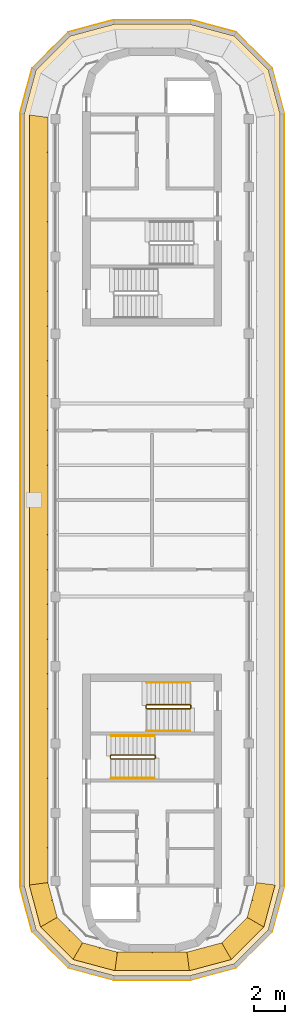
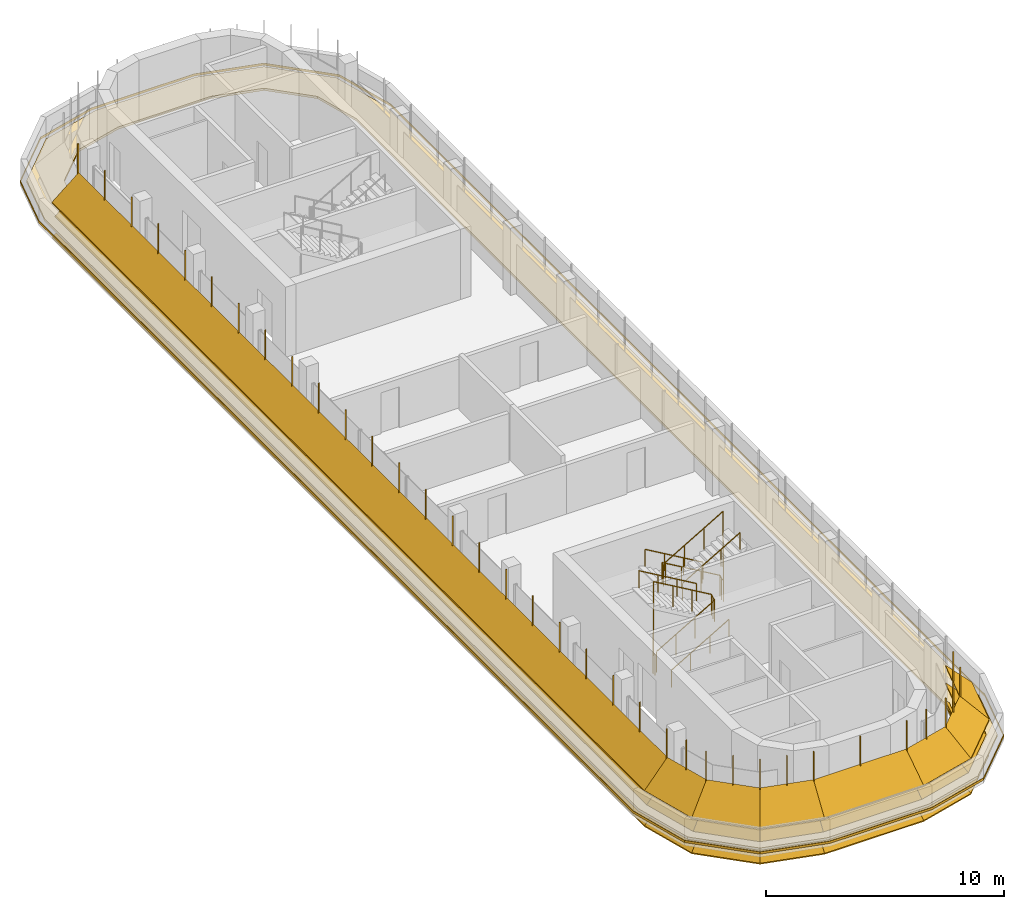
# One storey, part 11 of 12: 6 railings, 4 shading devices, 2 coverings.
"""IFC4 building model written with IfcOpenShell, lengths in metres."""

import ifcopenshell
import ifcopenshell.guid

model = None  # the IFC model being written
_history = None  # IfcOwnerHistory: only IFC2X3 demands one
_inside = {}  # id of a spatial element -> (the spatial element, [elements in it])
_under = {}  # id of a project, library or spatial element -> (it, [spatial elements below it])
_declared = {}  # id of a project -> (the project, [libraries it declares])
_typed = {}  # id of a type object -> (the type object, [elements of that type])
_made_of = {}  # id of a material, layer set ... -> (it, [elements and type objects made of it])


def new_model(schema):
    """Start an empty IFC model of exactly this schema.

    Asked for "IFC4X3", IfcOpenShell would pick the latest addendum, in which some entities
    have other attributes; the version numbers below select the first issue.
    IFC2X3 requires an IfcOwnerHistory on every rooted entity: one is made here for all.
    """
    global model, _history
    if schema == "IFC4X3":
        model = ifcopenshell.file(schema_version=(4, 3, 0, 0))
    else:
        model = ifcopenshell.file(schema=schema)
    _inside.clear()
    _under.clear()
    _declared.clear()
    _typed.clear()
    _made_of.clear()
    _history = None
    if model.schema == "IFC2X3":
        org = make("IfcOrganization", Name="unknown")
        user = make(
            "IfcPersonAndOrganization",
            ThePerson=make("IfcPerson", FamilyName="unknown"),
            TheOrganization=org,
        )
        app = make(
            "IfcApplication",
            ApplicationDeveloper=org,
            Version="unknown",
            ApplicationFullName="unknown",
            ApplicationIdentifier="unknown",
        )
        _history = make(
            "IfcOwnerHistory",
            OwningUser=user,
            OwningApplication=app,
            ChangeAction="ADDED",
            CreationDate=0,
        )
    return model


def make(cls, **values):
    """One entity of the class cls with the attributes given. An attribute that is None is left unset."""
    return model.create_entity(
        cls, **{name: value for name, value in values.items() if value is not None}
    )


def rooted(cls, **values):
    """An entity with a GlobalId (a new one), such as an element, a storey or a relation."""
    return make(cls, GlobalId=ifcopenshell.guid.new(), OwnerHistory=_history, **values)


def si_unit(unit_type, name, prefix=None):
    """IfcSIUnit, for example si_unit("LENGTHUNIT", "METRE", prefix="MILLI")."""
    return make("IfcSIUnit", UnitType=unit_type, Prefix=prefix, Name=name)


def assignment(units):
    """IfcUnitAssignment: the units of a project."""
    return None if units is None else make("IfcUnitAssignment", Units=units)


def point(xyz):
    """IfcCartesianPoint."""
    return None if xyz is None else make("IfcCartesianPoint", Coordinates=xyz)


def direction(xyz):
    """IfcDirection."""
    return None if xyz is None else make("IfcDirection", DirectionRatios=xyz)


def frame(location, z_axis=None, x_axis=None):
    """IfcAxis2Placement3D, a coordinate frame: its origin and axes. An axis left out is left unset."""
    return make(
        "IfcAxis2Placement3D",
        Location=point(location),
        Axis=direction(z_axis),
        RefDirection=direction(x_axis),
    )


def frame_2d(location, x_axis=None):
    """IfcAxis2Placement2D, a coordinate frame in the plane: its origin and x axis."""
    return make(
        "IfcAxis2Placement2D", Location=point(location), RefDirection=direction(x_axis)
    )


def origin():
    """The frame at (0, 0, 0) with its axes left unset."""
    return frame((0.0, 0.0, 0.0))


def origin_2d():
    """The frame at (0, 0) in the plane with its x axis left unset."""
    return frame_2d((0.0, 0.0))


def place(relative_to, where):
    """IfcLocalPlacement: puts the frame where relative to a parent placement (None: the world)."""
    return make(
        "IfcLocalPlacement", PlacementRelTo=relative_to, RelativePlacement=where
    )


def context(
    kind, dimensions, precision=None, world=None, true_north=None, identifier=None
):
    """IfcGeometricRepresentationContext, for example the 3D "Model" context."""
    return make(
        "IfcGeometricRepresentationContext",
        ContextIdentifier=identifier,
        ContextType=kind,
        CoordinateSpaceDimension=dimensions,
        Precision=precision,
        WorldCoordinateSystem=world,
        TrueNorth=true_north,
    )


def subcontext(parent, identifier, kind, view, scale=None):
    """IfcGeometricRepresentationSubContext, for example "Body" below "Model"."""
    return make(
        "IfcGeometricRepresentationSubContext",
        ContextIdentifier=identifier,
        ContextType=kind,
        ParentContext=parent,
        TargetScale=scale,
        TargetView=view,
    )


def project(units=None, contexts=None):
    """IfcProject with its units and contexts."""
    return rooted(
        "IfcProject",
        Name="project",
        RepresentationContexts=contexts,
        UnitsInContext=assignment(units),
    )


def spatial(cls, under=None, at=None, **own):
    """A site, building, storey or space (cls), placed at a placement, below another one or the project."""
    s = rooted(cls, ObjectPlacement=at, **own)
    if under is not None:
        _under.setdefault(under.id(), (under, []))[1].append(s)
    return s


def polyline(points):
    """IfcPolyline through the points."""
    return make("IfcPolyline", Points=[point(p) for p in points])


def profile(cls, at=None, kind="AREA", **sizes):
    """A parametric profile (cls). Its sizes go by their IFC names, for example OverallWidth=200.0."""
    return make(cls, ProfileType=kind, Position=at, **sizes)


def circle(**sizes):
    """IfcCircleProfileDef."""
    return profile("IfcCircleProfileDef", **sizes)


def outline(outer, holes=None, kind="AREA"):
    """IfcArbitraryClosedProfileDef: a profile drawn as a closed curve; with holes, ...WithVoids."""
    if holes is None:
        return make("IfcArbitraryClosedProfileDef", ProfileType=kind, OuterCurve=outer)
    return make(
        "IfcArbitraryProfileDefWithVoids",
        ProfileType=kind,
        OuterCurve=outer,
        InnerCurves=holes,
    )


def extrude(swept, where, along, depth):
    """IfcExtrudedAreaSolid: the profile swept, set in the frame where, extruded along a direction by depth."""
    return make(
        "IfcExtrudedAreaSolid",
        SweptArea=swept,
        Position=where,
        ExtrudedDirection=direction(along),
        Depth=depth,
    )


def faces_of(points, faces, orient=None, outer=None):
    """IfcFace entities. A face is a list of loops; a loop is a list of indices into points, from 0.

    orient and outer hold one flag for each loop. By default every Orientation is true, the
    first loop of a face is its IfcFaceOuterBound and the others are IfcFaceBound.
    """
    made = []
    for i, loops in enumerate(faces):
        bounds = []
        for j, loop in enumerate(loops):
            is_outer = j == 0 if outer is None else outer[i][j]
            bounds.append(
                make(
                    "IfcFaceOuterBound" if is_outer else "IfcFaceBound",
                    Bound=make("IfcPolyLoop", Polygon=[points[k] for k in loop]),
                    Orientation=True if orient is None else orient[i][j],
                )
            )
        made.append(make("IfcFace", Bounds=bounds))
    return made


def faceted_brep(points, faces, orient=None, outer=None, voids=None):
    """IfcFacetedBrep: a solid bounded by flat faces; with voids (closed shells), ...WithVoids."""
    shared = [point(p) for p in points]
    hull = make("IfcClosedShell", CfsFaces=faces_of(shared, faces, orient, outer))
    if voids is None:
        return make("IfcFacetedBrep", Outer=hull)
    return make(
        "IfcFacetedBrepWithVoids",
        Outer=hull,
        Voids=[
            make(cls, CfsFaces=faces_of(shared, fs, o, b)) for cls, fs, o, b in voids
        ],
    )


def shape(context_of_items, identifier, shape_type, items):
    """IfcShapeRepresentation: the items that make up one representation, for example the "Body"."""
    return make(
        "IfcShapeRepresentation",
        ContextOfItems=context_of_items,
        RepresentationIdentifier=identifier,
        RepresentationType=shape_type,
        Items=items,
    )


def source(mapping_origin, context_of_items, identifier, shape_type, items):
    """IfcRepresentationMap: a shape defined once, which mapped items show again and again."""
    return make(
        "IfcRepresentationMap",
        MappingOrigin=mapping_origin,
        MappedRepresentation=shape(context_of_items, identifier, shape_type, items),
    )


def transform(
    local_origin,
    x_axis=None,
    y_axis=None,
    z_axis=None,
    scale=None,
    scale2=None,
    scale3=None,
    uniform=True,
):
    """IfcCartesianTransformationOperator3D, or its non-uniform kind. x_axis, y_axis, z_axis: its Axis1, 2, 3."""
    if uniform:
        return make(
            "IfcCartesianTransformationOperator3D",
            Axis1=direction(x_axis),
            Axis2=direction(y_axis),
            LocalOrigin=point(local_origin),
            Scale=scale,
            Axis3=direction(z_axis),
        )
    return make(
        "IfcCartesianTransformationOperator3DnonUniform",
        Axis1=direction(x_axis),
        Axis2=direction(y_axis),
        LocalOrigin=point(local_origin),
        Scale=scale,
        Axis3=direction(z_axis),
        Scale2=scale2,
        Scale3=scale3,
    )


def mapped(mapping_source, mapping_target):
    """IfcMappedItem: shows the shape of a source again, moved by a transform."""
    return make(
        "IfcMappedItem", MappingSource=mapping_source, MappingTarget=mapping_target
    )


def material(Name=None, Category=None):
    """IfcMaterial."""
    return make("IfcMaterial", Name=Name, Category=Category)


def layer(
    of_material, thickness, ventilated=None, Name=None, Category=None, Priority=None
):
    """IfcMaterialLayer: one layer of a wall or slab, of a material (None: an air gap)."""
    return make(
        "IfcMaterialLayer",
        Material=of_material,
        LayerThickness=thickness,
        IsVentilated=ventilated,
        Name=Name,
        Category=Category,
        Priority=Priority,
    )


def layer_set(layers, Name=None):
    """IfcMaterialLayerSet."""
    return make("IfcMaterialLayerSet", MaterialLayers=layers, LayerSetName=Name)


def made_of(thing, what):
    """Note that an element or type object is made of a material, layer set ...; save() writes the relation."""
    if what is not None:
        _made_of.setdefault(what.id(), (what, []))[1].append(thing)
    return thing


def type_object(cls, material=None, **own):
    """A type object (cls), such as IfcWallType, which elements share."""
    return made_of(rooted(cls, **own), material)


def element(
    cls,
    number,
    at=None,
    inside=None,
    cuts=None,
    type_object=None,
    material=None,
    context=None,
    identifier="Body",
    shape_type=None,
    held_by="IfcProductDefinitionShape",
    body=None,
    shapes=None,
    **own,
):
    """One element of the class cls, such as IfcWall. Its Tag is "e" and its number.

    at: its placement. inside: the storey or other place that contains it. cuts: it is an
    opening in that element (IfcRelVoidsElement). A single representation is given by context,
    identifier, shape_type and body (its items); several are given by shapes. held_by: the class
    of the entity that holds the representations. save() writes the other relations.
    """
    e = rooted(cls, Tag="e%d" % number, ObjectPlacement=at, **own)
    if body is not None:
        shapes = [shape(context, identifier, shape_type, body)]
    if shapes is not None:
        e.Representation = make(held_by, Representations=shapes)
    if inside is not None:
        _inside.setdefault(inside.id(), (inside, []))[1].append(e)
    if cuts is not None:
        rooted(
            "IfcRelVoidsElement", RelatingBuildingElement=cuts, RelatedOpeningElement=e
        )
    if type_object is not None:
        _typed.setdefault(type_object.id(), (type_object, []))[1].append(e)
    return made_of(e, material)


def aggregate(whole, parts):
    """IfcRelAggregates: a whole, such as a stair, and the parts it consists of."""
    return rooted("IfcRelAggregates", RelatingObject=whole, RelatedObjects=parts)


def save(model, path):
    """Write the relations noted so far, then the file.

    IfcRelAggregates (storeys below a building ...), IfcRelContainedInSpatialStructure (elements
    in a storey), IfcRelDefinesByType, IfcRelAssociatesMaterial and IfcRelDeclares: one each for
    every whole, place, type object, material and project.
    """
    for whole, parts in _under.values():
        aggregate(whole, parts)
    for where, things in _inside.values():
        rooted(
            "IfcRelContainedInSpatialStructure",
            RelatedElements=things,
            RelatingStructure=where,
        )
    for kind, things in _typed.values():
        rooted("IfcRelDefinesByType", RelatedObjects=things, RelatingType=kind)
    for what, things in _made_of.values():
        rooted("IfcRelAssociatesMaterial", RelatedObjects=things, RelatingMaterial=what)
    for by, libraries in _declared.values():
        rooted("IfcRelDeclares", RelatingContext=by, RelatedDefinitions=libraries)
    model.write(path)


model = new_model("IFC4")

# Units and contexts
model_context = context("Model", 3, precision=1e-05, world=origin(), true_north=direction((0.0, 1.0)))
body_context = subcontext(model_context, "Body", "Model", "MODEL_VIEW")
ifc_project = project(units=[si_unit("LENGTHUNIT", "METRE"), si_unit("AREAUNIT", "SQUARE_METRE"), si_unit("VOLUMEUNIT", "CUBIC_METRE"), si_unit("PLANEANGLEUNIT", "RADIAN"), si_unit("MASSUNIT", "GRAM", prefix="KILO")], contexts=[model_context])

# Site, building, storey
site_placement = place(None, origin())
site = spatial("IfcSite", under=ifc_project, at=site_placement, CompositionType="ELEMENT")
building_placement = place(site_placement, origin())
building = spatial("IfcBuilding", under=site, at=building_placement, Name="Zarbagh Exchange Tower", CompositionType="ELEMENT")
storey_placement = place(building_placement, frame((0.0, 0.0, 309.60009765625)))
storey = spatial("IfcBuildingStorey", under=building, at=storey_placement, Name="L76", CompositionType="ELEMENT", Elevation=309.60009765625)

# Railings
ifc_material_1 = material(Name="Stainless steel", Category="steel")
railing_type_1 = type_object("IfcRailingType", Name="Stair guard 1100 mm", PredefinedType="GUARDRAIL", material=ifc_material_1)
railing_1_placement = place(storey_placement, frame((-2.64990234375, -16.75, 0.16357421875)))
element("IfcRailing", 1, at=railing_1_placement, inside=storey, type_object=railing_type_1, Name="ST3 stair guard 1", PredefinedType="GUARDRAIL", context=body_context, shape_type="SweptSolid", body=[
    extrude(circle(Radius=0.02392578125, at=origin_2d()), frame((0.0, 0.0, 1.076171875), z_axis=(0.863374499697, 0.0, 0.504563646405), x_axis=(0.0, 1.0, 0.0)), (0.0, 0.0, 1.0), 3.242919921875),
    extrude(circle(Radius=0.02392578125, at=origin_2d()), frame((2.7998046875, 0.0, 2.71240234375), z_axis=(0.707106781187, 0.707106781187, 0.0), x_axis=(-0.707106781187, 0.707106781187, 0.0)), (0.0, 0.0, 1.0), 0.07080078125),
    extrude(circle(Radius=0.02392578125, at=origin_2d()), frame((2.849853515625, 0.050048828125, 2.71240234375), z_axis=(0.0, 1.0, 0.0), x_axis=(-1.0, 0.0, 0.0)), (0.0, 0.0, 1.0), 0.14990234375),
    extrude(circle(Radius=0.02392578125, at=origin_2d()), frame((2.849853515625, 0.199951171875, 2.71240234375), z_axis=(-0.280456126637, 0.280456126637, 0.917980785237), x_axis=(-0.707106781187, -0.707106781187, 0.0)), (0.0, 0.0, 1.0), 0.178466796875),
    extrude(circle(Radius=0.02392578125, at=origin_2d()), frame((2.7998046875, 0.25, 2.8759765625), z_axis=(-0.863374499697, 0.0, 0.504563646405), x_axis=(0.0, -1.0, 0.0)), (0.0, 0.0, 1.0), 3.242919921875),
    extrude(circle(Radius=0.02392578125, at=origin_2d()), frame((0.0, 0.25, 4.51220703125), z_axis=(-0.013900331382, -0.013900331382, -0.999806762117), x_axis=(0.707106781187, -0.707106781187, 0.0)), (0.0, 0.0, 1.0), 3.6005859375),
    extrude(circle(Radius=0.02392578125, at=origin_2d()), frame((-0.050048828125, 0.199951171875, 0.91259765625), z_axis=(0.0, -1.0, 0.0), x_axis=(1.0, 0.0, 0.0)), (0.0, 0.0, 1.0), 0.14990234375),
    extrude(circle(Radius=0.02099609375, at=origin_2d()), origin(), (0.0, 0.0, 1.0), 1.052001953125),
    extrude(circle(Radius=0.02099609375, at=origin_2d()), frame((0.933349609375, 0.0, 0.54541015625)), (0.0, 0.0, 1.0), 1.052001953125),
    extrude(circle(Radius=0.02099609375, at=origin_2d()), frame((1.866455078125, 0.0, 1.0908203125)), (0.0, 0.0, 1.0), 1.052001953125),
    extrude(circle(Radius=0.02099609375, at=origin_2d()), frame((2.7998046875, 0.0, 1.63623046875)), (0.0, 0.0, 1.0), 1.052001953125),
    extrude(circle(Radius=0.02099609375, at=origin_2d()), frame((2.849853515625, 0.050048828125, 1.63623046875)), (0.0, 0.0, 1.0), 1.052001953125),
    extrude(circle(Radius=0.02099609375, at=origin_2d()), frame((2.849853515625, 0.199951171875, 1.63623046875)), (0.0, 0.0, 1.0), 1.052001953125),
    extrude(circle(Radius=0.02099609375, at=origin_2d()), frame((2.7998046875, 0.25, 1.800048828125)), (0.0, 0.0, 1.0), 1.052001953125),
    extrude(circle(Radius=0.02099609375, at=origin_2d()), frame((1.866455078125, 0.25, 2.345458984375)), (0.0, 0.0, 1.0), 1.052001953125),
    extrude(circle(Radius=0.02099609375, at=origin_2d()), frame((0.933349609375, 0.25, 2.890869140625)), (0.0, 0.0, 1.0), 1.052001953125),
    extrude(circle(Radius=0.02099609375, at=origin_2d()), frame((0.0, 0.25, 3.436279296875)), (0.0, 0.0, 1.0), 1.052001953125),
    extrude(circle(Radius=0.02099609375, at=origin_2d()), frame((-0.012451171875, 0.237548828125, 2.536376953125)), (0.0, 0.0, 1.0), 1.052001953125),
    extrude(circle(Radius=0.02099609375, at=origin_2d()), frame((-0.02490234375, 0.22509765625, 1.63623046875)), (0.0, 0.0, 1.0), 1.052001953125),
    extrude(circle(Radius=0.02099609375, at=origin_2d()), frame((-0.03759765625, 0.21240234375, 0.736328125)), (0.0, 0.0, 1.0), 1.052001953125),
    extrude(circle(Radius=0.02099609375, at=origin_2d()), frame((-0.050048828125, 0.199951171875, -0.16357421875)), (0.0, 0.0, 1.0), 1.052001953125),
    extrude(circle(Radius=0.02099609375, at=origin_2d()), frame((-0.050048828125, 0.050048828125, -0.16357421875)), (0.0, 0.0, 1.0), 1.052001953125),
])
railing_2_placement = place(storey_placement, frame((-0.35009765625, -13.5, 1.963623046875)))
element("IfcRailing", 2, at=railing_2_placement, inside=storey, type_object=railing_type_1, Name="ST4 stair guard 1", PredefinedType="GUARDRAIL", context=body_context, shape_type="SweptSolid", body=[
    extrude(circle(Radius=0.02392578125, at=origin_2d()), frame((0.0, 0.0, 1.076171875), z_axis=(0.863393664356, 0.0, 0.504530851732), x_axis=(0.0, 1.0, 0.0)), (0.0, 0.0, 1.0), 3.2431640625),
    extrude(circle(Radius=0.02392578125, at=origin_2d()), frame((2.800048828125, 0.0, 2.71240234375), z_axis=(0.013900331382, 0.013900331382, -0.999806762117), x_axis=(-0.707106781187, 0.707106781187, 0.0)), (0.0, 0.0, 1.0), 3.6005859375),
    extrude(circle(Radius=0.02392578125, at=origin_2d()), frame((2.85009765625, 0.050048828125, -0.8876953125), z_axis=(0.0, 1.0, 0.0), x_axis=(-1.0, 0.0, 0.0)), (0.0, 0.0, 1.0), 0.14990234375),
    extrude(circle(Radius=0.02392578125, at=origin_2d()), frame((2.85009765625, 0.199951171875, -0.8876953125), z_axis=(-0.280808744504, 0.280808744504, 0.917765164963), x_axis=(-0.707106781187, -0.707106781187, 0.0)), (0.0, 0.0, 1.0), 0.17822265625),
    extrude(circle(Radius=0.02392578125, at=origin_2d()), frame((2.800048828125, 0.25, -0.72412109375), z_axis=(-0.863393664356, 0.0, 0.504530851732), x_axis=(0.0, -1.0, 0.0)), (0.0, 0.0, 1.0), 3.2431640625),
    extrude(circle(Radius=0.02392578125, at=origin_2d()), frame((0.0, 0.25, 0.912109375), z_axis=(-0.705375805398, -0.708833529934, 0.0), x_axis=(0.708833529934, -0.705375805398, 0.0)), (0.0, 0.0, 1.0), 0.070556640625),
    extrude(circle(Radius=0.02392578125, at=origin_2d()), frame((-0.0498046875, 0.199951171875, 0.912109375), z_axis=(0.0, -1.0, 0.0), x_axis=(1.0, 0.0, 0.0)), (0.0, 0.0, 1.0), 0.14990234375),
    extrude(circle(Radius=0.02099609375, at=origin_2d()), origin(), (0.0, 0.0, 1.0), 1.052001953125),
    extrude(circle(Radius=0.02099609375, at=origin_2d()), frame((0.933349609375, 0.0, 0.54541015625)), (0.0, 0.0, 1.0), 1.052001953125),
    extrude(circle(Radius=0.02099609375, at=origin_2d()), frame((1.86669921875, 0.0, 1.0908203125)), (0.0, 0.0, 1.0), 1.052001953125),
    extrude(circle(Radius=0.02099609375, at=origin_2d()), frame((2.800048828125, 0.0, 1.63623046875)), (0.0, 0.0, 1.0), 1.052001953125),
    extrude(circle(Radius=0.02099609375, at=origin_2d()), frame((2.8125, 0.012451171875, 0.736328125)), (0.0, 0.0, 1.0), 1.052001953125),
    extrude(circle(Radius=0.02099609375, at=origin_2d()), frame((2.8251953125, 0.02490234375, -0.16357421875)), (0.0, 0.0, 1.0), 1.052001953125),
    extrude(circle(Radius=0.02099609375, at=origin_2d()), frame((2.837646484375, 0.03759765625, -1.063720703125)), (0.0, 0.0, 1.0), 1.052001953125),
    extrude(circle(Radius=0.02099609375, at=origin_2d()), frame((2.85009765625, 0.050048828125, -1.963623046875)), (0.0, 0.0, 1.0), 1.052001953125),
    extrude(circle(Radius=0.02099609375, at=origin_2d()), frame((2.85009765625, 0.199951171875, -1.963623046875)), (0.0, 0.0, 1.0), 1.052001953125),
    extrude(circle(Radius=0.02099609375, at=origin_2d()), frame((2.800048828125, 0.25, -1.800048828125)), (0.0, 0.0, 1.0), 1.052001953125),
    extrude(circle(Radius=0.02099609375, at=origin_2d()), frame((1.86669921875, 0.25, -1.254638671875)), (0.0, 0.0, 1.0), 1.052001953125),
    extrude(circle(Radius=0.02099609375, at=origin_2d()), frame((0.933349609375, 0.25, -0.709228515625)), (0.0, 0.0, 1.0), 1.052001953125),
    extrude(circle(Radius=0.02099609375, at=origin_2d()), frame((0.0, 0.25, -0.163818359375)), (0.0, 0.0, 1.0), 1.052001953125),
    extrude(circle(Radius=0.02099609375, at=origin_2d()), frame((-0.0498046875, 0.199951171875, -0.163818359375)), (0.0, 0.0, 1.0), 1.052001953125),
    extrude(circle(Radius=0.02099609375, at=origin_2d()), frame((-0.0498046875, 0.050048828125, -0.163818359375)), (0.0, 0.0, 1.0), 1.052001953125),
])
railing_type_2 = type_object("IfcRailingType", Name="Stair handrail 900 mm", PredefinedType="HANDRAIL", material=ifc_material_1)
railing_3_placement = place(storey_placement, frame((-2.64990234375, -18.0, 0.16357421875)))
element("IfcRailing", 3, at=railing_3_placement, inside=storey, type_object=railing_type_2, Name="ST3 stair handrail 1", PredefinedType="HANDRAIL", context=body_context, shape_type="SweptSolid", body=[
    extrude(circle(Radius=0.02392578125, at=origin_2d()), frame((0.0, 0.0, 0.8759765625), z_axis=(0.863374499697, 0.0, 0.504563646405), x_axis=(0.0, 1.0, 0.0)), (0.0, 0.0, 1.0), 3.242919921875),
    extrude(circle(Radius=0.02099609375, at=origin_2d()), origin(), (0.0, 0.0, 1.0), 0.851806640625),
    extrude(circle(Radius=0.02099609375, at=origin_2d()), frame((0.933349609375, 0.0, 0.54541015625)), (0.0, 0.0, 1.0), 0.851806640625),
    extrude(circle(Radius=0.02099609375, at=origin_2d()), frame((1.866455078125, 0.0, 1.0908203125)), (0.0, 0.0, 1.0), 0.851806640625),
    extrude(circle(Radius=0.02099609375, at=origin_2d()), frame((2.7998046875, 0.0, 1.63623046875)), (0.0, 0.0, 1.0), 0.851806640625),
])
railing_4_placement = place(storey_placement, frame((0.14990234375, -15.25, 1.963623046875)))
element("IfcRailing", 4, at=railing_4_placement, inside=storey, type_object=railing_type_2, Name="ST3 stair handrail 2", PredefinedType="HANDRAIL", context=body_context, shape_type="SweptSolid", body=[
    extrude(circle(Radius=0.02392578125, at=origin_2d()), frame((0.0, 0.0, 0.8759765625), z_axis=(-0.863374499697, 0.0, 0.504563646405), x_axis=(0.0, -1.0, 0.0)), (0.0, 0.0, 1.0), 3.242919921875),
    extrude(circle(Radius=0.02099609375, at=origin_2d()), origin(), (0.0, 0.0, 1.0), 0.851806640625),
    extrude(circle(Radius=0.02099609375, at=origin_2d()), frame((-0.933349609375, 0.0, 0.54541015625)), (0.0, 0.0, 1.0), 0.851806640625),
    extrude(circle(Radius=0.02099609375, at=origin_2d()), frame((-1.866455078125, 0.0, 1.0908203125)), (0.0, 0.0, 1.0), 0.851806640625),
    extrude(circle(Radius=0.02099609375, at=origin_2d()), frame((-2.7998046875, 0.0, 1.63623046875)), (0.0, 0.0, 1.0), 0.851806640625),
])
railing_5_placement = place(storey_placement, frame((2.449951171875, -11.800048828125, 0.16357421875)))
element("IfcRailing", 5, at=railing_5_placement, inside=storey, type_object=railing_type_2, Name="ST4 stair handrail 1", PredefinedType="HANDRAIL", context=body_context, shape_type="SweptSolid", body=[
    extrude(circle(Radius=0.02392578125, at=origin_2d()), frame((0.0, 0.0, 0.8759765625), z_axis=(-0.863393664356, 0.0, 0.504530851732), x_axis=(0.0, -1.0, 0.0)), (0.0, 0.0, 1.0), 3.2431640625),
    extrude(circle(Radius=0.02099609375, at=origin_2d()), origin(), (0.0, 0.0, 1.0), 0.851806640625),
    extrude(circle(Radius=0.02099609375, at=origin_2d()), frame((-0.933349609375, 0.0, 0.54541015625)), (0.0, 0.0, 1.0), 0.851806640625),
    extrude(circle(Radius=0.02099609375, at=origin_2d()), frame((-1.86669921875, 0.0, 1.0908203125)), (0.0, 0.0, 1.0), 0.851806640625),
    extrude(circle(Radius=0.02099609375, at=origin_2d()), frame((-2.800048828125, 0.0, 1.63623046875)), (0.0, 0.0, 1.0), 0.851806640625),
])
railing_6_placement = place(storey_placement, frame((-0.35009765625, -14.949951171875, 1.963623046875)))
element("IfcRailing", 6, at=railing_6_placement, inside=storey, type_object=railing_type_2, Name="ST4 stair handrail 2", PredefinedType="HANDRAIL", context=body_context, shape_type="SweptSolid", body=[
    extrude(circle(Radius=0.02392578125, at=origin_2d()), frame((0.0, 0.0, 0.8759765625), z_axis=(0.863393664356, 0.0, 0.504530851732), x_axis=(0.0, 1.0, 0.0)), (0.0, 0.0, 1.0), 3.2431640625),
    extrude(circle(Radius=0.02099609375, at=origin_2d()), origin(), (0.0, 0.0, 1.0), 0.851806640625),
    extrude(circle(Radius=0.02099609375, at=origin_2d()), frame((0.933349609375, 0.0, 0.54541015625)), (0.0, 0.0, 1.0), 0.851806640625),
    extrude(circle(Radius=0.02099609375, at=origin_2d()), frame((1.86669921875, 0.0, 1.0908203125)), (0.0, 0.0, 1.0), 0.851806640625),
    extrude(circle(Radius=0.02099609375, at=origin_2d()), frame((2.800048828125, 0.0, 1.63623046875)), (0.0, 0.0, 1.0), 0.851806640625),
])

# Coverings
ifc_material_2 = material(Name="Bituminous membrane and screed")
ifc_layer = layer(ifc_material_2, 0.1201171875)
ifc_layer_set = layer_set([ifc_layer], Name="Terrace roofing build-up, waterproofing and screed")
covering_type = type_object("IfcCoveringType", Name="Terrace roofing build-up, waterproofing and screed", PredefinedType="ROOFING", material=ifc_layer_set)
covering_1_placement = place(storey_placement, origin())
element("IfcCovering", 7, at=covering_1_placement, inside=storey, type_object=covering_type, Name="crown roofing", PredefinedType="ROOFING", context=body_context, shape_type="SweptSolid", body=[
    extrude(outline(polyline([(-5.431640625, -30.260986328125), (-7.760986328125, -27.931640625), (-8.550048828125, -24.987060546875), (-8.550048828125, 24.987060546875), (-7.760986328125, 27.931640625), (-5.431640625, 30.260986328125), (-2.487060546875, 31.050048828125), (2.487060546875, 31.050048828125), (5.431640625, 30.260986328125), (7.760986328125, 27.931640625), (8.550048828125, 24.987060546875), (8.550048828125, -24.987060546875), (7.760986328125, -27.931640625), (5.431640625, -30.260986328125), (2.487060546875, -31.050048828125), (-2.487060546875, -31.050048828125), (-5.431640625, -30.260986328125)]), holes=[polyline([(-8.530029296875, -24.984375), (-7.742919921875, -27.92138671875), (-5.42138671875, -30.242919921875), (-2.484375, -31.030029296875), (2.484375, -31.030029296875), (5.42138671875, -30.242919921875), (7.742919921875, -27.92138671875), (8.530029296875, -24.984375), (8.530029296875, 24.984375), (7.742919921875, 27.92138671875), (5.42138671875, 30.242919921875), (2.484375, 31.030029296875), (-2.484375, 31.030029296875), (-5.42138671875, 30.242919921875), (-7.742919921875, 27.92138671875), (-8.530029296875, 24.984375), (-8.530029296875, -24.984375)])]), origin(), (0.0, 0.0, 1.0), 0.119873046875),
])
covering_2_placement = place(storey_placement, origin())
element("IfcCovering", 8, at=covering_2_placement, inside=storey, type_object=covering_type, Name="crown roofing", PredefinedType="ROOFING", context=body_context, shape_type="SweptSolid", body=[
    extrude(outline(polyline([(2.451416015625, 30.780029296875), (5.2919921875, 30.018798828125), (7.518798828125, 27.7919921875), (8.280029296875, 24.951416015625), (8.280029296875, -24.951416015625), (7.518798828125, -27.7919921875), (5.2919921875, -30.018798828125), (2.451416015625, -30.780029296875), (-2.451416015625, -30.780029296875), (-5.2919921875, -30.018798828125), (-7.518798828125, -27.7919921875), (-8.280029296875, -24.951416015625), (-8.280029296875, 24.951416015625), (-7.518798828125, 27.7919921875), (-5.2919921875, 30.018798828125), (-2.451416015625, 30.780029296875), (2.451416015625, 30.780029296875)]), holes=[polyline([(6.147216796875, -27.0), (6.75, -24.75), (6.75, 24.75), (6.147216796875, 27.0), (4.5, 28.647216796875), (2.25, 29.25), (-2.25, 29.25), (-4.5, 28.647216796875), (-6.147216796875, 27.0), (-6.75, 24.75), (-6.75, -24.75), (-6.147216796875, -27.0), (-4.5, -28.647216796875), (-2.25, -29.25), (2.25, -29.25), (4.5, -28.647216796875), (6.147216796875, -27.0)])]), origin(), (0.0, 0.0, 1.0), 0.119873046875),
])

# Shading devices
ifc_material_3 = material(Name="Anodised aluminium blades and brackets", Category="aluminium")
shading_device_type = type_object("IfcShadingDeviceType", Name="SUNSHADE louvre band, 45 degree blades", PredefinedType="JALOUSIE", material=ifc_material_3)
shared_shape_1 = source(origin(), body_context, "Body", "Brep", [
    faceted_brep([(0.0, 0.0, 0.0), (0.0, 0.0, -0.056640625), (-0.157958984375, -1.199951171875, -1.256591796875), (-0.157958984375, -1.199951171875, -1.199951171875), (2.65087890625, -1.199951171875, -1.199951171875), (2.65087890625, -1.199951171875, -1.256591796875), (2.329345703125, 0.0, -0.056640625), (2.329345703125, 0.0, 0.0)], [[[0, 1, 2, 3]], [[4, 5, 6, 7]], [[0, 7, 6, 1]], [[1, 6, 5, 2]], [[2, 5, 4, 3]], [[3, 4, 7, 0]]]),
])
shared_shape_2 = source(origin(), body_context, "Body", "Brep", [
    faceted_brep([(0.0, 0.0, 0.0), (0.0, 0.0, -0.056640625), (-0.321533203125, -1.199951171875, -1.256591796875), (-0.321533203125, -1.199951171875, -1.199951171875), (2.65087890625, -1.199951171875, -1.199951171875), (2.65087890625, -1.199951171875, -1.256591796875), (2.329345703125, 0.0, -0.056640625), (2.329345703125, 0.0, 0.0)], [[[0, 1, 2, 3]], [[4, 5, 6, 7]], [[0, 7, 6, 1]], [[1, 6, 5, 2]], [[2, 5, 4, 3]], [[3, 4, 7, 0]]]),
])
shared_shape_3 = source(origin(), body_context, "Body", "Brep", [
    faceted_brep([(0.0, 0.0, 0.0), (0.0, 0.0, -0.056640625), (-0.321533203125, -1.199951171875, -1.256591796875), (-0.321533203125, -1.199951171875, -1.199951171875), (2.4873046875, -1.199951171875, -1.199951171875), (2.4873046875, -1.199951171875, -1.256591796875), (2.329345703125, 0.0, -0.056640625), (2.329345703125, 0.0, 0.0)], [[[0, 1, 2, 3]], [[4, 5, 6, 7]], [[0, 7, 6, 1]], [[1, 6, 5, 2]], [[2, 5, 4, 3]], [[3, 4, 7, 0]]]),
])
shared_shape_4 = source(origin(), body_context, "Body", "SweptSolid", [
    extrude(outline(polyline([(0.0, -0.012451171875), (0.06005859375, -0.012451171875), (0.06005859375, 0.012451171875), (0.0, 0.012451171875), (0.0, -0.012451171875)])), origin(), (0.0, 0.0, 1.0), 3.366455078125),
])
placement = place(storey_placement, origin())
element("IfcShadingDevice", 9, at=placement, inside=storey, type_object=shading_device_type, Name="SS55 sunshade band", PredefinedType="JALOUSIE", context=body_context, shape_type="MappedRepresentation", body=[
    mapped(shared_shape_1, transform((2.25, -29.25, 2.099853515625), x_axis=(0.965924289636, 0.258824779902, 0.0), y_axis=(-0.258824779902, 0.965924289636, 0.0), z_axis=(0.0, 0.0, 1.0))),
    mapped(shared_shape_1, transform((2.25, -29.25, 1.199951171875), x_axis=(0.965924289636, 0.258824779902, 0.0), y_axis=(-0.258824779902, 0.965924289636, 0.0), z_axis=(0.0, 0.0, 1.0))),
    mapped(shared_shape_1, transform((2.25, -29.25, 0.2998046875), x_axis=(0.965924289636, 0.258824779902, 0.0), y_axis=(-0.258824779902, 0.965924289636, 0.0), z_axis=(0.0, 0.0, 1.0))),
    mapped(shared_shape_2, transform((4.5, -28.647216796875, 2.099853515625), x_axis=(0.707106781187, 0.707106781187, 0.0), y_axis=(-0.707106781187, 0.707106781187, 0.0), z_axis=(0.0, 0.0, 1.0))),
    mapped(shared_shape_2, transform((4.5, -28.647216796875, 1.199951171875), x_axis=(0.707106781187, 0.707106781187, 0.0), y_axis=(-0.707106781187, 0.707106781187, 0.0), z_axis=(0.0, 0.0, 1.0))),
    mapped(shared_shape_2, transform((4.5, -28.647216796875, 0.2998046875), x_axis=(0.707106781187, 0.707106781187, 0.0), y_axis=(-0.707106781187, 0.707106781187, 0.0), z_axis=(0.0, 0.0, 1.0))),
    mapped(shared_shape_3, transform((6.147216796875, -27.0, 2.099853515625), x_axis=(0.258824779902, 0.965924289636, 0.0), y_axis=(-0.965924289636, 0.258824779902, 0.0), z_axis=(0.0, 0.0, 1.0))),
    mapped(shared_shape_3, transform((6.147216796875, -27.0, 1.199951171875), x_axis=(0.258824779902, 0.965924289636, 0.0), y_axis=(-0.965924289636, 0.258824779902, 0.0), z_axis=(0.0, 0.0, 1.0))),
    mapped(shared_shape_3, transform((6.147216796875, -27.0, 0.2998046875), x_axis=(0.258824779902, 0.965924289636, 0.0), y_axis=(-0.965924289636, 0.258824779902, 0.0), z_axis=(0.0, 0.0, 1.0))),
    mapped(shared_shape_4, transform((2.25, -29.25, 0.21337890625), x_axis=(0.130529263012, -0.991444457092, 0.0), y_axis=(0.991444457092, 0.130529263012, 0.0), z_axis=(0.0, 0.0, 1.0))),
    mapped(shared_shape_4, transform((3.375, -28.948486328125, 0.21337890625), x_axis=(0.258825058029, -0.96592421511, 0.0), y_axis=(0.96592421511, 0.258825058029, 0.0), z_axis=(0.0, 0.0, 1.0))),
    mapped(shared_shape_4, transform((4.5, -28.647216796875, 0.21337890625), x_axis=(0.50000275701, -0.866023812018, 0.0), y_axis=(0.866023812018, 0.50000275701, 0.0), z_axis=(0.0, 0.0, 1.0))),
    mapped(shared_shape_4, transform((5.323486328125, -27.823486328125, 0.21337890625), x_axis=(0.707106781187, -0.707106781187, 0.0), y_axis=(0.707106781187, 0.707106781187, 0.0), z_axis=(0.0, 0.0, 1.0))),
    mapped(shared_shape_4, transform((6.147216796875, -27.0, 0.21337890625), x_axis=(0.866023812018, -0.50000275701, 0.0), y_axis=(0.50000275701, 0.866023812018, 0.0), z_axis=(0.0, 0.0, 1.0))),
    mapped(shared_shape_4, transform((6.448486328125, -25.875, 0.21337890625), x_axis=(0.96592421511, -0.258825058029, 0.0), y_axis=(0.258825058029, 0.96592421511, 0.0), z_axis=(0.0, 0.0, 1.0))),
])
element("IfcShadingDevice", 10, at=placement, inside=storey, type_object=shading_device_type, Name="SS68 sunshade band", PredefinedType="JALOUSIE", context=body_context, shape_type="MappedRepresentation", body=[
    mapped(shared_shape_1, transform((-6.75, -24.75, 2.099853515625), x_axis=(0.258824779902, -0.965924289636, 0.0), y_axis=(0.965924289636, 0.258824779902, 0.0), z_axis=(0.0, 0.0, 1.0))),
    mapped(shared_shape_1, transform((-6.75, -24.75, 1.199951171875), x_axis=(0.258824779902, -0.965924289636, 0.0), y_axis=(0.965924289636, 0.258824779902, 0.0), z_axis=(0.0, 0.0, 1.0))),
    mapped(shared_shape_1, transform((-6.75, -24.75, 0.2998046875), x_axis=(0.258824779902, -0.965924289636, 0.0), y_axis=(0.965924289636, 0.258824779902, 0.0), z_axis=(0.0, 0.0, 1.0))),
    mapped(shared_shape_2, transform((-6.147216796875, -27.0, 2.099853515625), x_axis=(0.707106781187, -0.707106781187, 0.0), y_axis=(0.707106781187, 0.707106781187, 0.0), z_axis=(0.0, 0.0, 1.0))),
    mapped(shared_shape_2, transform((-6.147216796875, -27.0, 1.199951171875), x_axis=(0.707106781187, -0.707106781187, 0.0), y_axis=(0.707106781187, 0.707106781187, 0.0), z_axis=(0.0, 0.0, 1.0))),
    mapped(shared_shape_2, transform((-6.147216796875, -27.0, 0.2998046875), x_axis=(0.707106781187, -0.707106781187, 0.0), y_axis=(0.707106781187, 0.707106781187, 0.0), z_axis=(0.0, 0.0, 1.0))),
    mapped(shared_shape_3, transform((-4.5, -28.647216796875, 2.099853515625), x_axis=(0.965924289636, -0.258824779902, 0.0), y_axis=(0.258824779902, 0.965924289636, 0.0), z_axis=(0.0, 0.0, 1.0))),
    mapped(shared_shape_3, transform((-4.5, -28.647216796875, 1.199951171875), x_axis=(0.965924289636, -0.258824779902, 0.0), y_axis=(0.258824779902, 0.965924289636, 0.0), z_axis=(0.0, 0.0, 1.0))),
    mapped(shared_shape_3, transform((-4.5, -28.647216796875, 0.2998046875), x_axis=(0.965924289636, -0.258824779902, 0.0), y_axis=(0.258824779902, 0.965924289636, 0.0), z_axis=(0.0, 0.0, 1.0))),
    mapped(shared_shape_4, transform((-6.75, -24.75, 0.21337890625), x_axis=(-0.991444457092, -0.130529263012, 0.0), y_axis=(0.130529263012, -0.991444457092, 0.0), z_axis=(0.0, 0.0, 1.0))),
    mapped(shared_shape_4, transform((-6.448486328125, -25.875, 0.21337890625), x_axis=(-0.96592421511, -0.258825058029, 0.0), y_axis=(0.258825058029, -0.96592421511, 0.0), z_axis=(0.0, 0.0, 1.0))),
    mapped(shared_shape_4, transform((-6.147216796875, -27.0, 0.21337890625), x_axis=(-0.866023812018, -0.50000275701, 0.0), y_axis=(0.50000275701, -0.866023812018, 0.0), z_axis=(0.0, 0.0, 1.0))),
    mapped(shared_shape_4, transform((-5.323486328125, -27.823486328125, 0.21337890625), x_axis=(-0.707106781187, -0.707106781187, 0.0), y_axis=(0.707106781187, -0.707106781187, 0.0), z_axis=(0.0, 0.0, 1.0))),
    mapped(shared_shape_4, transform((-4.5, -28.647216796875, 0.21337890625), x_axis=(-0.50000275701, -0.866023812018, 0.0), y_axis=(0.866023812018, -0.50000275701, 0.0), z_axis=(0.0, 0.0, 1.0))),
    mapped(shared_shape_4, transform((-3.375, -28.948486328125, 0.21337890625), x_axis=(-0.258825058029, -0.96592421511, 0.0), y_axis=(0.96592421511, -0.258825058029, 0.0), z_axis=(0.0, 0.0, 1.0))),
])
shared_shape_5 = source(origin(), body_context, "Body", "Brep", [
    faceted_brep([(0.0, 0.0, 0.0), (0.0, 0.0, -0.056640625), (-0.157958984375, -1.199951171875, -1.256591796875), (-0.157958984375, -1.199951171875, -1.199951171875), (49.657958984375, -1.199951171875, -1.199951171875), (49.657958984375, -1.199951171875, -1.256591796875), (49.5, 0.0, -0.056640625), (49.5, 0.0, 0.0)], [[[0, 1, 2, 3]], [[4, 5, 6, 7]], [[0, 7, 6, 1]], [[1, 6, 5, 2]], [[2, 5, 4, 3]], [[3, 4, 7, 0]]]),
])
element("IfcShadingDevice", 11, at=placement, inside=storey, type_object=shading_device_type, Name="SS73 sunshade band", PredefinedType="JALOUSIE", context=body_context, shape_type="MappedRepresentation", body=[
    mapped(shared_shape_5, transform((-6.75, 24.75, 2.099853515625), x_axis=(0.0, -1.0, 0.0), y_axis=(1.0, 0.0, 0.0), z_axis=(0.0, 0.0, 1.0))),
    mapped(shared_shape_5, transform((-6.75, 24.75, 1.199951171875), x_axis=(0.0, -1.0, 0.0), y_axis=(1.0, 0.0, 0.0), z_axis=(0.0, 0.0, 1.0))),
    mapped(shared_shape_5, transform((-6.75, 24.75, 0.2998046875), x_axis=(0.0, -1.0, 0.0), y_axis=(1.0, 0.0, 0.0), z_axis=(0.0, 0.0, 1.0))),
    mapped(shared_shape_4, transform((-6.75, 24.75, 0.21337890625), x_axis=(-0.991444457092, 0.130529263012, 0.0), y_axis=(-0.130529263012, -0.991444457092, 0.0), z_axis=(0.0, 0.0, 1.0))),
    mapped(shared_shape_4, transform((-6.75, 22.5, 0.21337890625), x_axis=(-1.0, 0.0, 0.0), y_axis=(0.0, -1.0, 0.0), z_axis=(0.0, 0.0, 1.0))),
    mapped(shared_shape_4, transform((-6.75, 20.25, 0.21337890625), x_axis=(-1.0, 0.0, 0.0), y_axis=(0.0, -1.0, 0.0), z_axis=(0.0, 0.0, 1.0))),
    mapped(shared_shape_4, transform((-6.75, 18.0, 0.21337890625), x_axis=(-1.0, 0.0, 0.0), y_axis=(0.0, -1.0, 0.0), z_axis=(0.0, 0.0, 1.0))),
    mapped(shared_shape_4, transform((-6.75, 15.75, 0.21337890625), x_axis=(-1.0, 0.0, 0.0), y_axis=(0.0, -1.0, 0.0), z_axis=(0.0, 0.0, 1.0))),
    mapped(shared_shape_4, transform((-6.75, 13.5, 0.21337890625), x_axis=(-1.0, 0.0, 0.0), y_axis=(0.0, -1.0, 0.0), z_axis=(0.0, 0.0, 1.0))),
    mapped(shared_shape_4, transform((-6.75, 11.25, 0.21337890625), x_axis=(-1.0, 0.0, 0.0), y_axis=(0.0, -1.0, 0.0), z_axis=(0.0, 0.0, 1.0))),
    mapped(shared_shape_4, transform((-6.75, 9.0, 0.21337890625), x_axis=(-1.0, 0.0, 0.0), y_axis=(0.0, -1.0, 0.0), z_axis=(0.0, 0.0, 1.0))),
    mapped(shared_shape_4, transform((-6.75, 6.75, 0.21337890625), x_axis=(-1.0, 0.0, 0.0), y_axis=(0.0, -1.0, 0.0), z_axis=(0.0, 0.0, 1.0))),
    mapped(shared_shape_4, transform((-6.75, 4.5, 0.21337890625), x_axis=(-1.0, 0.0, 0.0), y_axis=(0.0, -1.0, 0.0), z_axis=(0.0, 0.0, 1.0))),
    mapped(shared_shape_4, transform((-6.75, 2.25, 0.21337890625), x_axis=(-1.0, 0.0, 0.0), y_axis=(0.0, -1.0, 0.0), z_axis=(0.0, 0.0, 1.0))),
    mapped(shared_shape_4, transform((-6.75, 0.0, 0.21337890625), x_axis=(-1.0, 0.0, 0.0), y_axis=(0.0, -1.0, 0.0), z_axis=(0.0, 0.0, 1.0))),
    mapped(shared_shape_4, transform((-6.75, -2.25, 0.21337890625), x_axis=(-1.0, 0.0, 0.0), y_axis=(0.0, -1.0, 0.0), z_axis=(0.0, 0.0, 1.0))),
    mapped(shared_shape_4, transform((-6.75, -4.5, 0.21337890625), x_axis=(-1.0, 0.0, 0.0), y_axis=(0.0, -1.0, 0.0), z_axis=(0.0, 0.0, 1.0))),
    mapped(shared_shape_4, transform((-6.75, -6.75, 0.21337890625), x_axis=(-1.0, 0.0, 0.0), y_axis=(0.0, -1.0, 0.0), z_axis=(0.0, 0.0, 1.0))),
    mapped(shared_shape_4, transform((-6.75, -9.0, 0.21337890625), x_axis=(-1.0, 0.0, 0.0), y_axis=(0.0, -1.0, 0.0), z_axis=(0.0, 0.0, 1.0))),
    mapped(shared_shape_4, transform((-6.75, -11.25, 0.21337890625), x_axis=(-1.0, 0.0, 0.0), y_axis=(0.0, -1.0, 0.0), z_axis=(0.0, 0.0, 1.0))),
    mapped(shared_shape_4, transform((-6.75, -13.5, 0.21337890625), x_axis=(-1.0, 0.0, 0.0), y_axis=(0.0, -1.0, 0.0), z_axis=(0.0, 0.0, 1.0))),
    mapped(shared_shape_4, transform((-6.75, -15.75, 0.21337890625), x_axis=(-1.0, 0.0, 0.0), y_axis=(0.0, -1.0, 0.0), z_axis=(0.0, 0.0, 1.0))),
    mapped(shared_shape_4, transform((-6.75, -18.0, 0.21337890625), x_axis=(-1.0, 0.0, 0.0), y_axis=(0.0, -1.0, 0.0), z_axis=(0.0, 0.0, 1.0))),
    mapped(shared_shape_4, transform((-6.75, -20.25, 0.21337890625), x_axis=(-1.0, 0.0, 0.0), y_axis=(0.0, -1.0, 0.0), z_axis=(0.0, 0.0, 1.0))),
    mapped(shared_shape_4, transform((-6.75, -22.5, 0.21337890625), x_axis=(-1.0, 0.0, 0.0), y_axis=(0.0, -1.0, 0.0), z_axis=(0.0, 0.0, 1.0))),
])
shared_shape_6 = source(origin(), body_context, "Body", "Brep", [
    faceted_brep([(0.0, 0.0, 0.0), (0.0, 0.0, -0.056640625), (-0.157958984375, -1.199951171875, -1.256591796875), (-0.157958984375, -1.199951171875, -1.199951171875), (4.657958984375, -1.199951171875, -1.199951171875), (4.657958984375, -1.199951171875, -1.256591796875), (4.5, 0.0, -0.056640625), (4.5, 0.0, 0.0)], [[[0, 1, 2, 3]], [[4, 5, 6, 7]], [[0, 7, 6, 1]], [[1, 6, 5, 2]], [[2, 5, 4, 3]], [[3, 4, 7, 0]]]),
])
element("IfcShadingDevice", 12, at=placement, inside=storey, type_object=shading_device_type, Name="SS69 sunshade band", PredefinedType="JALOUSIE", context=body_context, shape_type="MappedRepresentation", body=[
    mapped(shared_shape_6, transform((-2.25, -29.25, 2.099853515625), x_axis=(1.0, 0.0, 0.0), y_axis=(0.0, 1.0, 0.0), z_axis=(0.0, 0.0, 1.0))),
    mapped(shared_shape_6, transform((-2.25, -29.25, 1.199951171875), x_axis=(1.0, 0.0, 0.0), y_axis=(0.0, 1.0, 0.0), z_axis=(0.0, 0.0, 1.0))),
    mapped(shared_shape_6, transform((-2.25, -29.25, 0.2998046875), x_axis=(1.0, 0.0, 0.0), y_axis=(0.0, 1.0, 0.0), z_axis=(0.0, 0.0, 1.0))),
    mapped(shared_shape_4, transform((-2.25, -29.25, 0.21337890625), x_axis=(-0.130529263012, -0.991444457092, 0.0), y_axis=(0.991444457092, -0.130529263012, 0.0), z_axis=(0.0, 0.0, 1.0))),
    mapped(shared_shape_4, transform((0.0, -29.25, 0.21337890625), x_axis=(0.0, -1.0, 0.0), y_axis=(1.0, 0.0, 0.0), z_axis=(0.0, 0.0, 1.0))),
])

save(model, "model.ifc")
